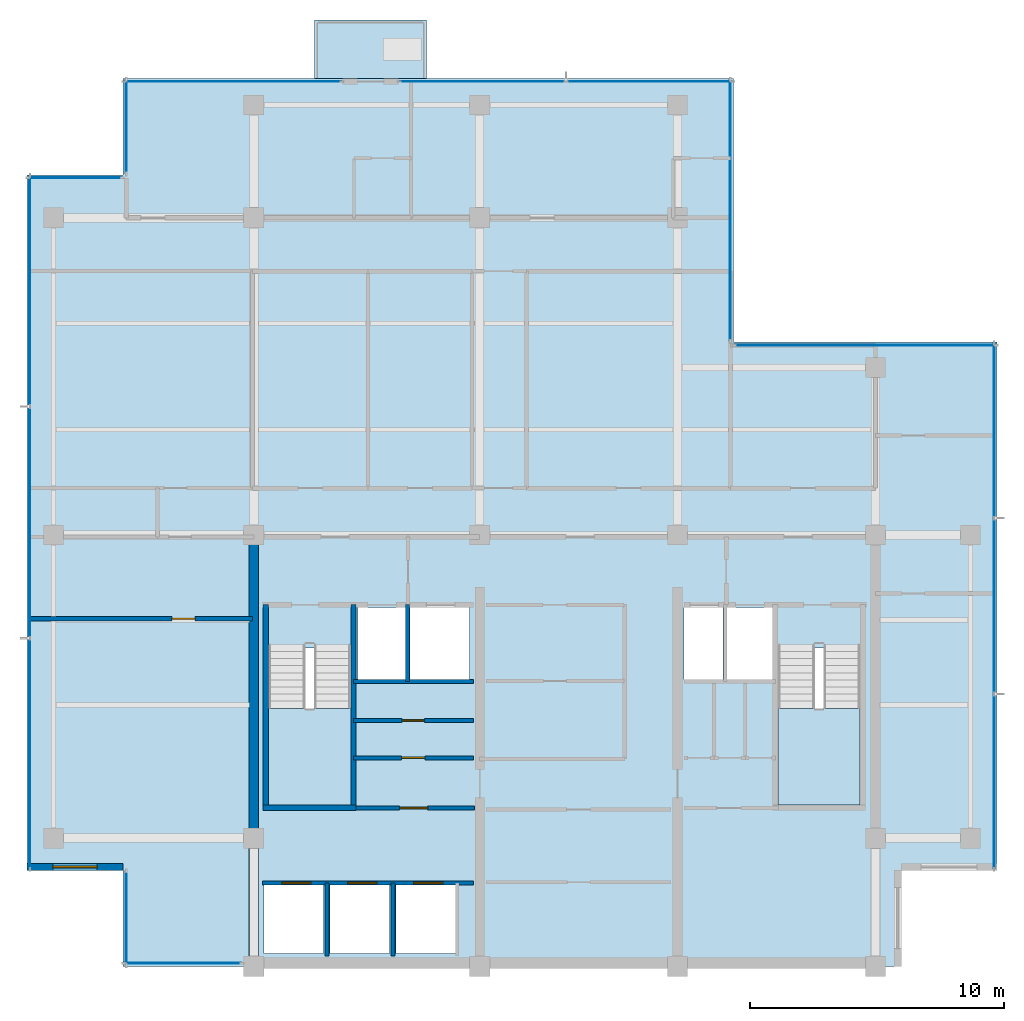
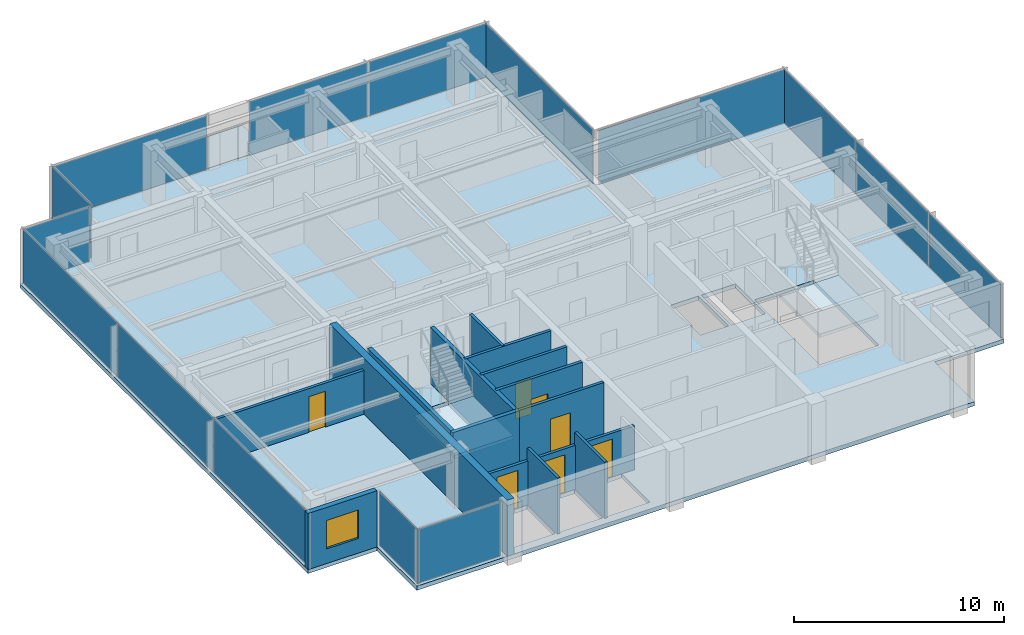
# One storey, part 5 of 11: 15 plates, 14 walls, 7 doors, 4 slabs, 1 window, 8 openings, 12 elements without a shape of their own.
"""IFC4 building model written with IfcOpenShell, lengths in metres."""

from ifc_helpers import new_model, si_unit, direction, frame, frame_2d, origin, origin_2d, place, context, subcontext, project, spatial, polyline, rectangle, outline, extrude, material, layer, layer_set, type_object, element, fill, aggregate, save


model = new_model("IFC4")

# Units and contexts
model_context = context("Model", 3, precision=1e-05, world=origin(), true_north=direction((0.0, 1.0)))
body_context = subcontext(model_context, "Body", "Model", "MODEL_VIEW")
ifc_project = project(units=[si_unit("LENGTHUNIT", "METRE"), si_unit("AREAUNIT", "SQUARE_METRE"), si_unit("VOLUMEUNIT", "CUBIC_METRE"), si_unit("PLANEANGLEUNIT", "RADIAN"), si_unit("MASSUNIT", "GRAM", prefix="KILO")], contexts=[model_context])

# Site, building, storey
site_placement = place(None, origin())
site = spatial("IfcSite", under=ifc_project, at=site_placement, CompositionType="ELEMENT")
building_placement = place(site_placement, origin())
building = spatial("IfcBuilding", under=site, at=building_placement, Name="Qalmaran Belvedere Hotel", CompositionType="ELEMENT")
storey_placement = place(building_placement, frame((0.0, 0.0, 273.89990234375)))
storey = spatial("IfcBuildingStorey", under=building, at=storey_placement, Name="L71", CompositionType="ELEMENT", Elevation=273.89990234375)

# Curtain wall, plate
ifc_material_1 = material(Name="Anodised Bronze Aluminium", Category="aluminium")
ifc_layer_1 = layer(ifc_material_1, 0.18505859375, Name="Anodised Bronze Aluminium")
ifc_layer_set_1 = layer_set([ifc_layer_1], Name="Anodised Bronze Aluminium")
curtain_wall_type = type_object("IfcCurtainWallType", Name="CW6-TOWER-SKY", PredefinedType="NOTDEFINED", material=ifc_layer_set_1)
curtain_wall_1_placement = place(storey_placement, origin())
curtain_wall_1 = element("IfcCurtainWall", 1, at=curtain_wall_1_placement, inside=storey, type_object=curtain_wall_type, Name="L71 Curtain Wall CW6", PredefinedType="NOTDEFINED")
ifc_material_2 = material(Name="Solar-Control Double Glazing", Category="glass")
ifc_layer_2 = layer(ifc_material_2, 0.028076171875, Name="Solar-Control Double Glazing")
ifc_layer_set_2 = layer_set([ifc_layer_2], Name="Solar-Control Double Glazing")
plate_type = type_object("IfcPlateType", Name="CWP-VISION-28", PredefinedType="CURTAIN_PANEL", material=ifc_layer_set_2)
plate_1_placement = place(storey_placement, frame((17.5048828125, 3.6201171875, 0.065185546875), z_axis=(0.0, 0.0, 1.0), x_axis=(1.0, 0.0, 0.0)))
plate_1 = element("IfcPlate", 2, at=plate_1_placement, type_object=plate_type, Name="CW6 panel 1.1", PredefinedType="CURTAIN_PANEL", context=body_context, shape_type="SweptSolid", body=[
    extrude(rectangle(XDim=4.580078125, YDim=0.028076171875, at=origin_2d()), origin(), (0.0, 0.0, 1.0), 3.1298828125),
])
aggregate(curtain_wall_1, [plate_1])

# Curtain wall, plates
curtain_wall_2_placement = place(storey_placement, origin())
curtain_wall_2 = element("IfcCurtainWall", 3, at=curtain_wall_2_placement, inside=storey, type_object=curtain_wall_type, Name="L71 Curtain Wall CW6", PredefinedType="NOTDEFINED")
plate_2_placement = place(storey_placement, frame((49.47998046875, 10.782958984375, 0.065185546875), z_axis=(0.0, 0.0, 1.0), x_axis=(0.0, 1.0, 0.0)))
plate_2 = element("IfcPlate", 4, at=plate_2_placement, type_object=plate_type, Name="CW6 panel 1.1", PredefinedType="CURTAIN_PANEL", context=body_context, shape_type="SweptSolid", body=[
    extrude(rectangle(XDim=6.8359375, YDim=0.028076171875, at=origin_2d()), origin(), (0.0, 0.0, 1.0), 3.1298828125),
])
plate_3_placement = place(storey_placement, frame((49.47998046875, 17.699951171875, 0.065185546875), z_axis=(0.0, 0.0, 1.0), x_axis=(0.0, 1.0, 0.0)))
plate_3 = element("IfcPlate", 5, at=plate_3_placement, type_object=plate_type, Name="CW6 panel 2.1", PredefinedType="CURTAIN_PANEL", context=body_context, shape_type="SweptSolid", body=[
    extrude(rectangle(XDim=6.868408203125, YDim=0.028076171875, at=origin_2d()), origin(), (0.0, 0.0, 1.0), 3.1298828125),
])
plate_4_placement = place(storey_placement, frame((49.47998046875, 24.6171875, 0.065185546875), z_axis=(0.0, 0.0, 1.0), x_axis=(0.0, 1.0, 0.0)))
plate_4 = element("IfcPlate", 6, at=plate_4_placement, type_object=plate_type, Name="CW6 panel 3.1", PredefinedType="CURTAIN_PANEL", context=body_context, shape_type="SweptSolid", body=[
    extrude(rectangle(XDim=6.8359375, YDim=0.028076171875, at=origin_2d()), origin(), (0.0, 0.0, 1.0), 3.1298828125),
])
aggregate(curtain_wall_2, [plate_2, plate_3, plate_4])

# Curtain wall, plate
curtain_wall_3_placement = place(storey_placement, origin())
curtain_wall_3 = element("IfcCurtainWall", 7, at=curtain_wall_3_placement, inside=storey, type_object=curtain_wall_type, Name="L71 Curtain Wall CW6", PredefinedType="NOTDEFINED")
plate_5_placement = place(storey_placement, frame((44.39990234375, 27.97998046875, 0.065185546875), z_axis=(0.0, 0.0, 1.0), x_axis=(-1.0, 0.0, 0.0)))
plate_5 = element("IfcPlate", 8, at=plate_5_placement, type_object=plate_type, Name="CW6 panel 1.1", PredefinedType="CURTAIN_PANEL", context=body_context, shape_type="SweptSolid", body=[
    extrude(rectangle(XDim=10.27001953125, YDim=0.028076171875, at=origin_2d()), origin(), (0.0, 0.0, 1.0), 3.1298828125),
])
aggregate(curtain_wall_3, [plate_5])

curtain_wall_4_placement = place(storey_placement, origin())
curtain_wall_4 = element("IfcCurtainWall", 9, at=curtain_wall_4_placement, inside=storey, type_object=curtain_wall_type, Name="L71 Curtain Wall CW6", PredefinedType="NOTDEFINED")
plate_6_placement = place(storey_placement, frame((39.080078125, 33.300048828125, 0.065185546875), z_axis=(0.0, 0.0, 1.0), x_axis=(0.0, 1.0, 0.0)))
plate_6 = element("IfcPlate", 10, at=plate_6_placement, type_object=plate_type, Name="CW6 panel 1.1", PredefinedType="CURTAIN_PANEL", context=body_context, shape_type="SweptSolid", body=[
    extrude(rectangle(XDim=10.27001953125, YDim=0.028076171875, at=origin_2d()), origin(), (0.0, 0.0, 1.0), 3.1298828125),
])
aggregate(curtain_wall_4, [plate_6])

curtain_wall_5_placement = place(storey_placement, origin())
curtain_wall_5 = element("IfcCurtainWall", 11, at=curtain_wall_5_placement, inside=storey, type_object=curtain_wall_type, Name="L71 Curtain Wall CW6", PredefinedType="NOTDEFINED")
plate_7_placement = place(storey_placement, frame((19.47509765625, 38.3798828125, 0.065185546875), z_axis=(0.0, 0.0, 1.0), x_axis=(-1.0, 0.0, 0.0)))
plate_7 = element("IfcPlate", 12, at=plate_7_placement, type_object=plate_type, Name="CW6 panel 1.1", PredefinedType="CURTAIN_PANEL", context=body_context, shape_type="SweptSolid", body=[
    extrude(rectangle(XDim=8.52001953125, YDim=0.028076171875, at=origin_2d()), origin(), (0.0, 0.0, 1.0), 3.1298828125),
])
aggregate(curtain_wall_5, [plate_7])

# Curtain wall, plates
curtain_wall_6_placement = place(storey_placement, origin())
curtain_wall_6 = element("IfcCurtainWall", 13, at=curtain_wall_6_placement, inside=storey, type_object=curtain_wall_type, Name="L71 Curtain Wall CW6", PredefinedType="NOTDEFINED")
plate_8_placement = place(storey_placement, frame((35.8837890625, 38.3798828125, 0.065185546875), z_axis=(0.0, 0.0, 1.0), x_axis=(-1.0, 0.0, 0.0)))
plate_8 = element("IfcPlate", 14, at=plate_8_placement, type_object=plate_type, Name="CW6 panel 1.1", PredefinedType="CURTAIN_PANEL", context=body_context, shape_type="SweptSolid", body=[
    extrude(rectangle(XDim=6.50244140625, YDim=0.028076171875, at=origin_2d()), origin(), (0.0, 0.0, 1.0), 3.1298828125),
])
plate_9_placement = place(storey_placement, frame((29.316162109375, 38.3798828125, 0.065185546875), z_axis=(0.0, 0.0, 1.0), x_axis=(-1.0, 0.0, 0.0)))
plate_9 = element("IfcPlate", 15, at=plate_9_placement, type_object=plate_type, Name="CW6 panel 2.1", PredefinedType="CURTAIN_PANEL", context=body_context, shape_type="SweptSolid", body=[
    extrude(rectangle(XDim=6.50244140625, YDim=0.028076171875, at=origin_2d()), origin(), (0.0, 0.0, 1.0), 3.1298828125),
])
aggregate(curtain_wall_6, [plate_8, plate_9])

# Curtain wall, plate
curtain_wall_7_placement = place(storey_placement, origin())
curtain_wall_7 = element("IfcCurtainWall", 16, at=curtain_wall_7_placement, inside=storey, type_object=curtain_wall_type, Name="L71 Curtain Wall CW6", PredefinedType="NOTDEFINED")
plate_10_placement = place(storey_placement, frame((15.27001953125, 36.60009765625, 0.065185546875), z_axis=(0.0, 0.0, 1.0), x_axis=(0.0, -1.0, 0.0)))
plate_10 = element("IfcPlate", 17, at=plate_10_placement, type_object=plate_type, Name="CW6 panel 1.1", PredefinedType="CURTAIN_PANEL", context=body_context, shape_type="SweptSolid", body=[
    extrude(rectangle(XDim=3.669921875, YDim=0.028076171875, at=origin_2d()), origin(), (0.0, 0.0, 1.0), 3.1298828125),
])
aggregate(curtain_wall_7, [plate_10])

curtain_wall_8_placement = place(storey_placement, origin())
curtain_wall_8 = element("IfcCurtainWall", 18, at=curtain_wall_8_placement, inside=storey, type_object=curtain_wall_type, Name="L71 Curtain Wall CW6", PredefinedType="NOTDEFINED")
plate_11_placement = place(storey_placement, frame((13.25, 34.580078125, 0.065185546875), z_axis=(0.0, 0.0, 1.0), x_axis=(-1.0, 0.0, 0.0)))
plate_11 = element("IfcPlate", 19, at=plate_11_placement, type_object=plate_type, Name="CW6 panel 1.1", PredefinedType="CURTAIN_PANEL", context=body_context, shape_type="SweptSolid", body=[
    extrude(rectangle(XDim=3.669921875, YDim=0.028076171875, at=origin_2d()), origin(), (0.0, 0.0, 1.0), 3.1298828125),
])
aggregate(curtain_wall_8, [plate_11])

# Curtain wall, plates
curtain_wall_9_placement = place(storey_placement, origin())
curtain_wall_9 = element("IfcCurtainWall", 20, at=curtain_wall_9_placement, inside=storey, type_object=curtain_wall_type, Name="L71 Curtain Wall CW6", PredefinedType="NOTDEFINED")
plate_12_placement = place(storey_placement, frame((11.469970703125, 30.1171875, 0.065185546875), z_axis=(0.0, 0.0, 1.0), x_axis=(0.0, -1.0, 0.0)))
plate_12 = element("IfcPlate", 21, at=plate_12_placement, type_object=plate_type, Name="CW6 panel 1.1", PredefinedType="CURTAIN_PANEL", context=body_context, shape_type="SweptSolid", body=[
    extrude(rectangle(XDim=9.035888671875, YDim=0.028076171875, at=origin_2d()), origin(), (0.0, 0.0, 1.0), 3.1298828125),
])
plate_13_placement = place(storey_placement, frame((11.469970703125, 21.0, 0.065185546875), z_axis=(0.0, 0.0, 1.0), x_axis=(0.0, -1.0, 0.0)))
plate_13 = element("IfcPlate", 22, at=plate_13_placement, type_object=plate_type, Name="CW6 panel 2.1", PredefinedType="CURTAIN_PANEL", context=body_context, shape_type="SweptSolid", body=[
    extrude(rectangle(XDim=9.068359375, YDim=0.028076171875, at=origin_2d()), origin(), (0.0, 0.0, 1.0), 3.1298828125),
])
plate_14_placement = place(storey_placement, frame((11.469970703125, 11.8828125, 0.065185546875), z_axis=(0.0, 0.0, 1.0), x_axis=(0.0, -1.0, 0.0)))
plate_14 = element("IfcPlate", 23, at=plate_14_placement, type_object=plate_type, Name="CW6 panel 3.1", PredefinedType="CURTAIN_PANEL", context=body_context, shape_type="SweptSolid", body=[
    extrude(rectangle(XDim=9.035888671875, YDim=0.028076171875, at=origin_2d()), origin(), (0.0, 0.0, 1.0), 3.1298828125),
])
aggregate(curtain_wall_9, [plate_12, plate_13, plate_14])

# Curtain wall, plate
curtain_wall_10_placement = place(storey_placement, origin())
curtain_wall_10 = element("IfcCurtainWall", 24, at=curtain_wall_10_placement, inside=storey, type_object=curtain_wall_type, Name="L71 Curtain Wall CW6", PredefinedType="NOTDEFINED")
plate_15_placement = place(storey_placement, frame((15.27001953125, 5.39990234375, 0.065185546875), z_axis=(0.0, 0.0, 1.0), x_axis=(0.0, -1.0, 0.0)))
plate_15 = element("IfcPlate", 25, at=plate_15_placement, type_object=plate_type, Name="CW6 panel 1.1", PredefinedType="CURTAIN_PANEL", context=body_context, shape_type="SweptSolid", body=[
    extrude(rectangle(XDim=3.669921875, YDim=0.028076171875, at=origin_2d()), origin(), (0.0, 0.0, 1.0), 3.1298828125),
])
aggregate(curtain_wall_10, [plate_15])

# Slab
ifc_material_3 = material(Name="Concrete C40/50", Category="concrete")
ifc_layer_3 = layer(ifc_material_3, 0.219970703125, Name="Concrete C40/50")
ifc_layer_set_3 = layer_set([ifc_layer_3], Name="Concrete C40/50")
slab_type_1 = type_object("IfcSlabType", Name="SLB-BAL-220", PredefinedType="USERDEFINED", material=ifc_layer_set_3)
slab_1_placement = place(storey_placement, frame((0.0, 0.0, -0.219970703125)))
element("IfcSlab", 26, at=slab_1_placement, inside=storey, type_object=slab_type_1, Name="L71 Planted Tree Balcony Slab 1", ObjectType="BALCONY", PredefinedType="USERDEFINED", context=body_context, shape_type="SweptSolid", body=[
    extrude(outline(polyline([(22.699951171875, 38.5), (27.10009765625, 38.5), (27.10009765625, 40.800048828125), (22.699951171875, 40.800048828125), (22.699951171875, 38.5)])), origin(), (0.0, 0.0, 1.0), 0.219970703125),
])

# Stair, slab
stair_type_1 = type_object("IfcStairType", Name="STR-ST-1-1450-R1750", PredefinedType="HALF_TURN_STAIR", material=ifc_material_3)
stair_1_placement = place(storey_placement, origin())
stair_1 = element("IfcStair", 27, at=stair_1_placement, inside=storey, type_object=stair_type_1, Name="L71 West Core Exit Stair ST-1", PredefinedType="HALF_TURN_STAIR")
ifc_layer_4 = layer(ifc_material_3, 0.199951171875, Name="Concrete C40/50")
ifc_layer_set_4 = layer_set([ifc_layer_4], Name="Concrete C40/50")
slab_type_2 = type_object("IfcSlabType", Name="SLB-STAIR-LANDING-200", PredefinedType="LANDING", material=ifc_layer_set_4)
slab_2_placement = place(storey_placement, frame((0.0, 0.0, 1.550048828125)))
slab_2 = element("IfcSlab", 28, at=slab_2_placement, type_object=slab_type_2, Name="ST-1 landing 1", PredefinedType="LANDING", context=body_context, shape_type="SweptSolid", body=[
    extrude(outline(polyline([(20.8798828125, 13.669921875), (20.8798828125, 9.85009765625), (24.1201171875, 9.85009765625), (24.1201171875, 13.669921875), (20.8798828125, 13.669921875)])), origin(), (0.0, 0.0, 1.0), 0.199951171875),
])
aggregate(stair_1, [slab_2])

stair_type_2 = type_object("IfcStairType", Name="STR-ST-2-1450-R1750", PredefinedType="HALF_TURN_STAIR", material=ifc_material_3)
stair_2_placement = place(storey_placement, origin())
stair_2 = element("IfcStair", 29, at=stair_2_placement, inside=storey, type_object=stair_type_2, Name="L71 East Core Exit Stair ST-2", PredefinedType="HALF_TURN_STAIR")
slab_3_placement = place(storey_placement, frame((0.0, 0.0, 1.550048828125)))
slab_3 = element("IfcSlab", 30, at=slab_3_placement, type_object=slab_type_2, Name="ST-2 landing 1", PredefinedType="LANDING", context=body_context, shape_type="SweptSolid", body=[
    extrude(outline(polyline([(40.9599609375, 13.669921875), (40.9599609375, 9.85009765625), (44.199951171875, 9.85009765625), (44.199951171875, 13.669921875), (40.9599609375, 13.669921875)])), origin(), (0.0, 0.0, 1.0), 0.199951171875),
])
aggregate(stair_2, [slab_3])

# Slab
ifc_layer_5 = layer(ifc_material_3, 0.239990234375, Name="Concrete C40/50")
ifc_layer_set_5 = layer_set([ifc_layer_5], Name="Concrete C40/50")
slab_type_3 = type_object("IfcSlabType", Name="SLB-Z4-240", PredefinedType="FLOOR", material=ifc_layer_set_5)
slab_4_placement = place(storey_placement, frame((0.0, 0.0, -0.239990234375)))
element("IfcSlab", 31, at=slab_4_placement, inside=storey, type_object=slab_type_3, Name="L71 Structural Floor Slab", PredefinedType="FLOOR", context=body_context, shape_type="SweptSolid", body=[
    extrude(outline(polyline([(15.14990234375, 3.5), (45.800048828125, 3.5), (45.800048828125, 7.300048828125), (49.60009765625, 7.300048828125), (49.60009765625, 28.10009765625), (39.199951171875, 28.10009765625), (39.199951171875, 38.5), (15.14990234375, 38.5), (15.14990234375, 34.699951171875), (11.35009765625, 34.699951171875), (11.35009765625, 7.300048828125), (15.14990234375, 7.300048828125), (15.14990234375, 3.5)]), holes=[polyline([(20.8798828125, 9.85009765625), (24.1201171875, 9.85009765625), (24.1201171875, 16.0400390625), (20.8798828125, 16.0400390625), (20.8798828125, 9.85009765625)]), polyline([(40.9599609375, 9.85009765625), (44.199951171875, 9.85009765625), (44.199951171875, 16.0400390625), (40.9599609375, 16.0400390625), (40.9599609375, 9.85009765625)]), polyline([(20.699951171875, 4.0), (23.050048828125, 4.0), (23.050048828125, 6.699951171875), (20.699951171875, 6.699951171875), (20.699951171875, 4.0)]), polyline([(23.300048828125, 4.0), (25.64990234375, 4.0), (25.64990234375, 6.699951171875), (23.300048828125, 6.699951171875), (23.300048828125, 4.0)]), polyline([(25.89990234375, 4.0), (28.25, 4.0), (28.25, 6.699951171875), (25.89990234375, 6.699951171875), (25.89990234375, 4.0)]), polyline([(24.39990234375, 14.800048828125), (26.300048828125, 14.800048828125), (26.300048828125, 17.64990234375), (24.39990234375, 17.64990234375), (24.39990234375, 14.800048828125)]), polyline([(38.949951171875, 14.800048828125), (40.820068359375, 14.800048828125), (40.820068359375, 17.64990234375), (38.949951171875, 17.64990234375), (38.949951171875, 14.800048828125)]), polyline([(26.449951171875, 14.800048828125), (28.800048828125, 14.800048828125), (28.800048828125, 17.64990234375), (26.449951171875, 17.64990234375), (26.449951171875, 14.800048828125)]), polyline([(37.25, 14.800048828125), (38.800048828125, 14.800048828125), (38.800048828125, 17.64990234375), (37.25, 17.64990234375), (37.25, 14.800048828125)])]), origin(), (0.0, 0.0, 1.0), 0.239990234375),
])

# Wall
ifc_material_4 = material(Name="Concrete C50/60", Category="concrete")
ifc_layer_6 = layer(ifc_material_4, 0.3798828125, Name="Concrete C50/60")
ifc_layer_set_6 = layer_set([ifc_layer_6], Name="Concrete C50/60")
wall_type_1 = type_object("IfcWallType", Name="WL-CORE-380-C50", PredefinedType="SHEAR", material=ifc_layer_set_6)
wall_1_placement = place(storey_placement, frame((20.300048828125, 3.5, 0.0), z_axis=(0.0, 0.0, 1.0), x_axis=(0.0, 1.0, 0.0)))
element("IfcWall", 32, at=wall_1_placement, inside=storey, type_object=wall_type_1, Name="L71 West Core Shear Wall", PredefinedType="SHEAR", context=body_context, shape_type="SweptSolid", body=[
    extrude(rectangle(XDim=16.89990234375, YDim=0.3798828125, at=frame_2d((8.449951171875, 0.0))), origin(), (0.0, 0.0, 1.0), 3.260009765625),
])

# Wall, opening, window
ifc_material_5 = material(Name="Anodised Bronze Cladding")
ifc_layer_7 = layer(ifc_material_5, 0.280029296875, Name="Anodised Bronze Cladding")
ifc_layer_set_7 = layer_set([ifc_layer_7], Name="Anodised Bronze Cladding")
wall_type_2 = type_object("IfcWallType", Name="WL-EXT-BRNZ-280", PredefinedType="SOLIDWALL", material=ifc_layer_set_7)
wall_2_placement = place(storey_placement, frame((11.35009765625, 7.419921875, 0.0), z_axis=(0.0, 0.0, 1.0), x_axis=(1.0, 0.0, 0.0)))
wall_2 = element("IfcWall", 33, at=wall_2_placement, inside=storey, type_object=wall_type_2, Name="L71 Corner Notch Wall 10", PredefinedType="SOLIDWALL", context=body_context, shape_type="SweptSolid", body=[
    extrude(rectangle(XDim=3.7998046875, YDim=0.280029296875, at=frame_2d((1.89990234375, 0.0))), origin(), (0.0, 0.0, 1.0), 3.260009765625),
])
opening_1_placement = place(wall_2_placement, frame((1.02490234375, 0.0, 0.85009765625)))
opening_1 = element("IfcOpeningElement", 34, at=opening_1_placement, cuts=wall_2, Name="Opening W-N17", PredefinedType="OPENING", context=body_context, shape_type="SweptSolid", body=[
    extrude(rectangle(XDim=1.75, YDim=1.64990234375, at=frame_2d((0.875, 0.824951171875))), frame((0.0, 0.14990234375, 0.0), z_axis=(0.0, -1.0, 0.0), x_axis=(1.0, 0.0, 0.0)), (0.0, 0.0, 1.0), 0.300048828125),
])
window_type = type_object("IfcWindowType", Name="WN-NTC-1750X1650", PartitioningType="SINGLE_PANEL", PredefinedType="WINDOW", material=ifc_material_2)
window_placement = place(opening_1_placement, origin())
window = element("IfcWindow", 35, at=window_placement, inside=storey, type_object=window_type, Name="L71 Corner Notch Window 10", OverallHeight=1.64990234375, OverallWidth=1.75, PartitioningType="SINGLE_PANEL", PredefinedType="WINDOW", context=body_context, shape_type="SweptSolid", body=[
    extrude(rectangle(XDim=1.75, YDim=1.64990234375, at=frame_2d((0.875, 0.824951171875))), frame((0.0, 0.030029296875, 0.0), z_axis=(0.0, -1.0, 0.0), x_axis=(1.0, 0.0, 0.0)), (0.0, 0.0, 1.0), 0.06005859375),
])
fill(opening_1, window)

# Walls
ifc_material_6 = material(Name="Gypsum Stud Partition")
ifc_layer_8 = layer(ifc_material_6, 0.14990234375, Name="Gypsum Stud Partition")
ifc_layer_set_8 = layer_set([ifc_layer_8], Name="Gypsum Stud Partition")
wall_type_3 = type_object("IfcWallType", Name="WL-INT-150-EI120", PredefinedType="PARTITIONING", material=ifc_layer_set_8)
wall_3_placement = place(storey_placement, frame((26.360107421875, 14.719970703125, 0.0), z_axis=(0.0, 0.0, 1.0), x_axis=(0.0, 1.0, 0.0)))
element("IfcWall", 36, at=wall_3_placement, inside=storey, type_object=wall_type_3, Name="L71 Partition WL-FF1M-L71", PredefinedType="PARTITIONING", context=body_context, shape_type="SweptSolid", body=[
    extrude(rectangle(XDim=3.0400390625, YDim=0.14990234375, at=frame_2d((1.52001953125, 0.0))), origin(), (0.0, 0.0, 1.0), 3.260009765625),
])
for number, where, z_axis, x_axis, name in (
    (37, (23.179931640625, 3.89990234375, 0.0), (0.0, 0.0, 1.0), (0.0, 1.0, 0.0), "L71 Partition WL-POM1-L71"),
    (38, (25.780029296875, 3.89990234375, 0.0), (0.0, 0.0, 1.0), (0.0, 1.0, 0.0), "L71 Partition WL-POM2-L71"),
):
    element("IfcWall", number, at=place(storey_placement, frame(where, z_axis=z_axis, x_axis=x_axis)), inside=storey, type_object=wall_type_3, Name=name, PredefinedType="PARTITIONING", context=body_context, shape_type="SweptSolid", body=[
        extrude(rectangle(XDim=2.880126953125, YDim=0.14990234375, at=frame_2d((1.43994140625, 0.0))), origin(), (0.0, 0.0, 1.0), 3.260009765625),
    ])

# Wall, opening, door
ifc_layer_9 = layer(ifc_material_6, 0.14990234375, Name="Gypsum Stud Partition")
ifc_layer_set_9 = layer_set([ifc_layer_9], Name="Gypsum Stud Partition")
wall_type_4 = type_object("IfcWallType", Name="WL-INT-150-EI60", PredefinedType="PARTITIONING", material=ifc_layer_set_9)
wall_4_placement = place(storey_placement, frame((24.219970703125, 13.18505859375, 0.0), z_axis=(0.0, 0.0, 1.0), x_axis=(1.0, 0.0, 0.0)))
wall_4 = element("IfcWall", 39, at=wall_4_placement, inside=storey, type_object=wall_type_4, Name="L71 Partition WL-L71-KWHM", PredefinedType="PARTITIONING", context=body_context, shape_type="SweptSolid", body=[
    extrude(rectangle(XDim=4.72998046875, YDim=0.14990234375, at=frame_2d((2.364990234375, 0.0))), origin(), (0.0, 0.0, 1.0), 3.260009765625),
])
opening_2_placement = place(wall_4_placement, frame((1.925048828125, 0.0, 0.0)))
opening_2 = element("IfcOpeningElement", 40, at=opening_2_placement, cuts=wall_4, Name="Opening FD60B", PredefinedType="OPENING", context=body_context, shape_type="SweptSolid", body=[
    extrude(rectangle(XDim=0.8798828125, YDim=2.080078125, at=frame_2d((0.43994140625, 1.0400390625))), frame((0.0, 0.0849609375, 0.0), z_axis=(0.0, -1.0, 0.0), x_axis=(1.0, 0.0, 0.0)), (0.0, 0.0, 1.0), 0.169921875),
])
ifc_material_7 = material(Name="Steel S355JR", Category="steel")
door_type_1 = type_object("IfcDoorType", Name="DR-FD60B-880X2080", OperationType="NOTDEFINED", PredefinedType="DOOR", material=ifc_material_7)
door_1_placement = place(opening_2_placement, origin())
door_1 = element("IfcDoor", 41, at=door_1_placement, inside=storey, type_object=door_type_1, Name="L71 Staff Core WC Door", OperationType="SINGLE_SWING_RIGHT", OverallHeight=2.080078125, OverallWidth=0.8798828125, PredefinedType="DOOR", context=body_context, shape_type="SweptSolid", body=[
    extrude(rectangle(XDim=0.8798828125, YDim=2.080078125, at=frame_2d((0.43994140625, 1.0400390625))), frame((0.0, 0.02490234375, 0.0), z_axis=(0.0, -1.0, 0.0), x_axis=(1.0, 0.0, 0.0)), (0.0, 0.0, 1.0), 0.050048828125),
])
fill(opening_2, door_1)

# Wall
ifc_layer_10 = layer(ifc_material_6, 0.159912109375, Name="Gypsum Stud Partition")
ifc_layer_set_10 = layer_set([ifc_layer_10], Name="Gypsum Stud Partition")
wall_type_5 = type_object("IfcWallType", Name="WL-INT-160-EI120", PredefinedType="PARTITIONING", material=ifc_layer_set_10)
wall_5_placement = place(storey_placement, frame((24.219970703125, 14.719970703125, 0.0), z_axis=(0.0, 0.0, 1.0), x_axis=(1.0, 0.0, 0.0)))
element("IfcWall", 42, at=wall_5_placement, inside=storey, type_object=wall_type_5, Name="L71 Partition WL-FF1S-L71", PredefinedType="PARTITIONING", context=body_context, shape_type="SweptSolid", body=[
    extrude(rectangle(XDim=4.72998046875, YDim=0.159912109375, at=frame_2d((2.364990234375, 0.0))), origin(), (0.0, 0.0, 1.0), 3.260009765625),
])

# Wall, openings, doors
wall_6_placement = place(storey_placement, frame((20.64990234375, 6.780029296875, 0.0), z_axis=(0.0, 0.0, 1.0), x_axis=(1.0, 0.0, 0.0)))
wall_6 = element("IfcWall", 43, at=wall_6_placement, inside=storey, type_object=wall_type_5, Name="L71 Partition WL-POS-L71", PredefinedType="PARTITIONING", context=body_context, shape_type="SweptSolid", body=[
    extrude(rectangle(XDim=8.300048828125, YDim=0.159912109375, at=frame_2d((4.14990234375, 0.0))), origin(), (0.0, 0.0, 1.0), 2.550048828125),
])
opening_3_placement = place(wall_6_placement, frame((0.75, 0.0, 0.0)))
opening_3 = element("IfcOpeningElement", 44, at=opening_3_placement, cuts=wall_6, Name="Opening LD-PO", PredefinedType="OPENING", context=body_context, shape_type="SweptSolid", body=[
    extrude(rectangle(XDim=1.14990234375, YDim=2.199951171875, at=frame_2d((0.574951171875, 1.10009765625))), frame((0.0, 0.08984375, 0.0), z_axis=(0.0, -1.0, 0.0), x_axis=(1.0, 0.0, 0.0)), (0.0, 0.0, 1.0), 0.179931640625),
])
opening_4_placement = place(wall_6_placement, frame((3.35009765625, 0.0, 0.0)))
opening_4 = element("IfcOpeningElement", 45, at=opening_4_placement, cuts=wall_6, Name="Opening LD-PO", PredefinedType="OPENING", context=body_context, shape_type="SweptSolid", body=[
    extrude(rectangle(XDim=1.14990234375, YDim=2.199951171875, at=frame_2d((0.574951171875, 1.10009765625))), frame((0.0, 0.08984375, 0.0), z_axis=(0.0, -1.0, 0.0), x_axis=(1.0, 0.0, 0.0)), (0.0, 0.0, 1.0), 0.179931640625),
])
opening_5_placement = place(wall_6_placement, frame((5.949951171875, 0.0, 0.0)))
opening_5 = element("IfcOpeningElement", 46, at=opening_5_placement, cuts=wall_6, Name="Opening LD-PO", PredefinedType="OPENING", context=body_context, shape_type="SweptSolid", body=[
    extrude(rectangle(XDim=1.14990234375, YDim=2.199951171875, at=frame_2d((0.574951171875, 1.10009765625))), frame((0.0, 0.08984375, 0.0), z_axis=(0.0, -1.0, 0.0), x_axis=(1.0, 0.0, 0.0)), (0.0, 0.0, 1.0), 0.179931640625),
])
door_type_2 = type_object("IfcDoorType", Name="DR-LIFT-PO-1150X2200", OperationType="DOUBLE_DOOR_SLIDING", PredefinedType="DOOR", material=ifc_material_1)
door_2_placement = place(opening_3_placement, origin())
door_2 = element("IfcDoor", 47, at=door_2_placement, inside=storey, type_object=door_type_2, Name="L71 PO1 Shuttle Landing Door", OperationType="DOUBLE_DOOR_SLIDING", OverallHeight=2.199951171875, OverallWidth=1.14990234375, PredefinedType="DOOR", context=body_context, shape_type="SweptSolid", body=[
    extrude(rectangle(XDim=1.14990234375, YDim=2.199951171875, at=frame_2d((0.574951171875, 1.10009765625))), frame((0.0, 0.02490234375, 0.0), z_axis=(0.0, -1.0, 0.0), x_axis=(1.0, 0.0, 0.0)), (0.0, 0.0, 1.0), 0.050048828125),
])
fill(opening_3, door_2)
door_3_placement = place(opening_4_placement, origin())
door_3 = element("IfcDoor", 48, at=door_3_placement, inside=storey, type_object=door_type_2, Name="L71 PO2 Shuttle Landing Door", OperationType="DOUBLE_DOOR_SLIDING", OverallHeight=2.199951171875, OverallWidth=1.14990234375, PredefinedType="DOOR", context=body_context, shape_type="SweptSolid", body=[
    extrude(rectangle(XDim=1.14990234375, YDim=2.199951171875, at=frame_2d((0.574951171875, 1.10009765625))), frame((0.0, 0.02490234375, 0.0), z_axis=(0.0, -1.0, 0.0), x_axis=(1.0, 0.0, 0.0)), (0.0, 0.0, 1.0), 0.050048828125),
])
fill(opening_4, door_3)
door_4_placement = place(opening_5_placement, origin())
door_4 = element("IfcDoor", 49, at=door_4_placement, inside=storey, type_object=door_type_2, Name="L71 PO3 Shuttle Landing Door", OperationType="DOUBLE_DOOR_SLIDING", OverallHeight=2.199951171875, OverallWidth=1.14990234375, PredefinedType="DOOR", context=body_context, shape_type="SweptSolid", body=[
    extrude(rectangle(XDim=1.14990234375, YDim=2.199951171875, at=frame_2d((0.574951171875, 1.10009765625))), frame((0.0, 0.02490234375, 0.0), z_axis=(0.0, -1.0, 0.0), x_axis=(1.0, 0.0, 0.0)), (0.0, 0.0, 1.0), 0.050048828125),
])
fill(opening_5, door_4)

# Wall, opening, door
wall_7_placement = place(storey_placement, frame((24.199951171875, 9.739990234375, 0.0), z_axis=(0.0, 0.0, 1.0), x_axis=(1.0, 0.0, 0.0)))
wall_7 = element("IfcWall", 50, at=wall_7_placement, inside=storey, type_object=wall_type_5, Name="L71 Partition WL-PON-L71", PredefinedType="PARTITIONING", context=body_context, shape_type="SweptSolid", body=[
    extrude(rectangle(XDim=4.800048828125, YDim=0.159912109375, at=frame_2d((2.39990234375, 0.0))), origin(), (0.0, 0.0, 1.0), 3.260009765625),
])
opening_6_placement = place(wall_7_placement, frame((1.85009765625, 0.0, 0.0)))
opening_6 = element("IfcOpeningElement", 51, at=opening_6_placement, cuts=wall_7, Name="Opening FD90", PredefinedType="OPENING", context=body_context, shape_type="SweptSolid", body=[
    extrude(rectangle(XDim=1.10009765625, YDim=2.14990234375, at=frame_2d((0.550048828125, 1.074951171875))), frame((0.0, 0.08984375, 0.0), z_axis=(0.0, -1.0, 0.0), x_axis=(1.0, 0.0, 0.0)), (0.0, 0.0, 1.0), 0.179931640625),
])
door_type_3 = type_object("IfcDoorType", Name="DR-FD90-1100X2150", OperationType="NOTDEFINED", PredefinedType="DOOR", material=ifc_material_7)
door_5_placement = place(opening_6_placement, origin())
door_5 = element("IfcDoor", 52, at=door_5_placement, inside=storey, type_object=door_type_3, Name="L71 Shuttle Lobby Passage Door", OperationType="SINGLE_SWING_RIGHT", OverallHeight=2.14990234375, OverallWidth=1.10009765625, PredefinedType="DOOR", context=body_context, shape_type="SweptSolid", body=[
    extrude(rectangle(XDim=1.10009765625, YDim=2.14990234375, at=frame_2d((0.550048828125, 1.074951171875))), frame((0.0, 0.02490234375, 0.0), z_axis=(0.0, -1.0, 0.0), x_axis=(1.0, 0.0, 0.0)), (0.0, 0.0, 1.0), 0.050048828125),
])
fill(opening_6, door_5)

ifc_layer_11 = layer(ifc_material_6, 0.159912109375, Name="Gypsum Stud Partition")
ifc_layer_set_11 = layer_set([ifc_layer_11], Name="Gypsum Stud Partition")
wall_type_6 = type_object("IfcWallType", Name="WL-INT-160-EI60", PredefinedType="PARTITIONING", material=ifc_layer_set_11)
wall_8_placement = place(storey_placement, frame((24.219970703125, 11.719970703125, 0.0), z_axis=(0.0, 0.0, 1.0), x_axis=(1.0, 0.0, 0.0)))
wall_8 = element("IfcWall", 53, at=wall_8_placement, inside=storey, type_object=wall_type_6, Name="L71 Partition WL-L71-KWE1", PredefinedType="PARTITIONING", context=body_context, shape_type="SweptSolid", body=[
    extrude(rectangle(XDim=4.72998046875, YDim=0.159912109375, at=frame_2d((2.364990234375, 0.0))), origin(), (0.0, 0.0, 1.0), 3.260009765625),
])
opening_7_placement = place(wall_8_placement, frame((1.905029296875, 0.0, 0.0)))
opening_7 = element("IfcOpeningElement", 54, at=opening_7_placement, cuts=wall_8, Name="Opening FD60S1", PredefinedType="OPENING", context=body_context, shape_type="SweptSolid", body=[
    extrude(rectangle(XDim=0.919921875, YDim=2.080078125, at=frame_2d((0.4599609375, 1.0400390625))), frame((0.0, 0.08984375, 0.0), z_axis=(0.0, -1.0, 0.0), x_axis=(1.0, 0.0, 0.0)), (0.0, 0.0, 1.0), 0.179931640625),
])
ifc_material_8 = material(Name="Engineered Oak Veneer")
door_type_4 = type_object("IfcDoorType", Name="DR-FD60S-920X2080", OperationType="NOTDEFINED", PredefinedType="DOOR", material=ifc_material_8)
door_6_placement = place(opening_7_placement, origin())
door_6 = element("IfcDoor", 55, at=door_6_placement, inside=storey, type_object=door_type_4, Name="L71 Cleaner Supply Store Door", OperationType="SINGLE_SWING_LEFT", OverallHeight=2.080078125, OverallWidth=0.919921875, PredefinedType="DOOR", context=body_context, shape_type="SweptSolid", body=[
    extrude(rectangle(XDim=0.919921875, YDim=2.080078125, at=frame_2d((0.4599609375, 1.0400390625))), frame((0.0, 0.02490234375, 0.0), z_axis=(0.0, -1.0, 0.0), x_axis=(1.0, 0.0, 0.0)), (0.0, 0.0, 1.0), 0.050048828125),
])
fill(opening_7, door_6)

wall_9_placement = place(storey_placement, frame((11.469970703125, 17.199951171875, 0.0), z_axis=(0.0, 0.0, 1.0), x_axis=(1.0, 0.0, 0.0)))
wall_9 = element("IfcWall", 56, at=wall_9_placement, inside=storey, type_object=wall_type_6, Name="L71 Partition WL-L71-C4WH1", PredefinedType="PARTITIONING", context=body_context, shape_type="SweptSolid", body=[
    extrude(rectangle(XDim=8.780029296875, YDim=0.159912109375, at=frame_2d((4.39013671875, 0.0))), origin(), (0.0, 0.0, 1.0), 2.550048828125),
])
opening_8_placement = place(wall_9_placement, frame((6.52001953125, 0.0, 0.0), z_axis=(0.0, 0.0, 1.0), x_axis=(-1.0, 0.0, 0.0)))
opening_8 = element("IfcOpeningElement", 57, at=opening_8_placement, cuts=wall_9, Name="Opening FD60S1", PredefinedType="OPENING", context=body_context, shape_type="SweptSolid", body=[
    extrude(rectangle(XDim=0.919921875, YDim=2.080078125, at=frame_2d((0.4599609375, 1.0400390625))), frame((0.0, 0.08984375, 0.0), z_axis=(0.0, -1.0, 0.0), x_axis=(1.0, 0.0, 0.0)), (0.0, 0.0, 1.0), 0.179931640625),
])
door_7_placement = place(opening_8_placement, origin())
door_7 = element("IfcDoor", 58, at=door_7_placement, inside=storey, type_object=door_type_4, Name="L71 SW Panorama Inner Door", OperationType="SINGLE_SWING_RIGHT", OverallHeight=2.080078125, OverallWidth=0.919921875, PredefinedType="DOOR", context=body_context, shape_type="SweptSolid", body=[
    extrude(rectangle(XDim=0.919921875, YDim=2.080078125, at=frame_2d((0.4599609375, 1.0400390625))), frame((0.0, 0.02490234375, 0.0), z_axis=(0.0, -1.0, 0.0), x_axis=(1.0, 0.0, 0.0)), (0.0, 0.0, 1.0), 0.050048828125),
])
fill(opening_8, door_7)

# Walls
ifc_layer_12 = layer(ifc_material_4, 0.2099609375, Name="Concrete C50/60")
ifc_layer_set_12 = layer_set([ifc_layer_12], Name="Concrete C50/60")
wall_type_7 = type_object("IfcWallType", Name="WL-STAIR-210-C50", PredefinedType="SHEAR", material=ifc_layer_set_12)
for number, where, z_axis, x_axis, name in (
    (59, (20.77490234375, 9.7451171875, 0.0), (0.0, 0.0, 1.0), (0.0, 1.0, 0.0), "L71 Stair ST-1 West Bearing Wall"),
    (60, (24.22509765625, 9.7451171875, 0.0), (0.0, 0.0, 1.0), (0.0, 1.0, 0.0), "L71 Stair ST-1 East Bearing Wall"),
):
    element("IfcWall", number, at=place(storey_placement, frame(where, z_axis=z_axis, x_axis=x_axis)), inside=storey, type_object=wall_type_7, Name=name, PredefinedType="SHEAR", context=body_context, shape_type="SweptSolid", body=[
        extrude(rectangle(XDim=8.009765625, YDim=0.2099609375, at=frame_2d((4.0048828125, 0.0))), origin(), (0.0, 0.0, 1.0), 3.260009765625),
    ])
wall_10_placement = place(storey_placement, frame((20.669921875, 9.7451171875, 0.0), z_axis=(0.0, 0.0, 1.0), x_axis=(1.0, 0.0, 0.0)))
element("IfcWall", 61, at=wall_10_placement, inside=storey, type_object=wall_type_7, Name="L71 Stair ST-1 South Bearing Wall", PredefinedType="SHEAR", context=body_context, shape_type="SweptSolid", body=[
    extrude(rectangle(XDim=3.66015625, YDim=0.2099609375, at=frame_2d((1.830078125, 0.0))), origin(), (0.0, 0.0, 1.0), 3.260009765625),
])

save(model, "model.ifc")
